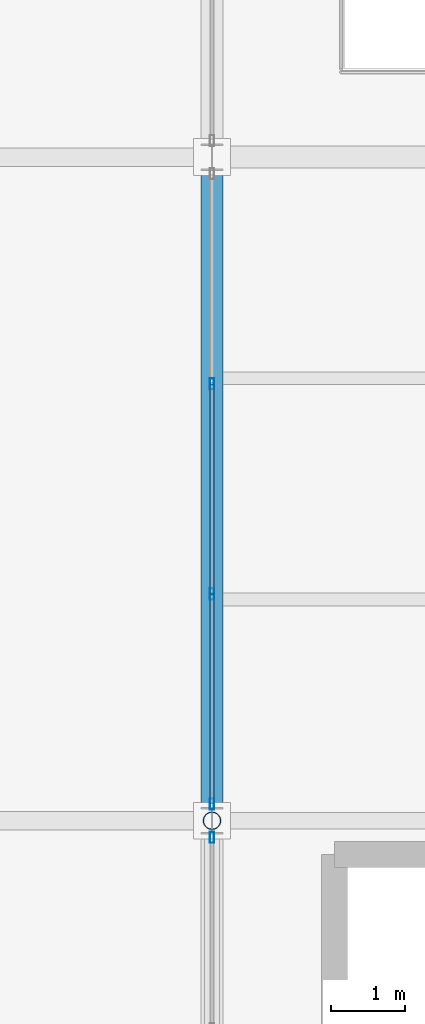
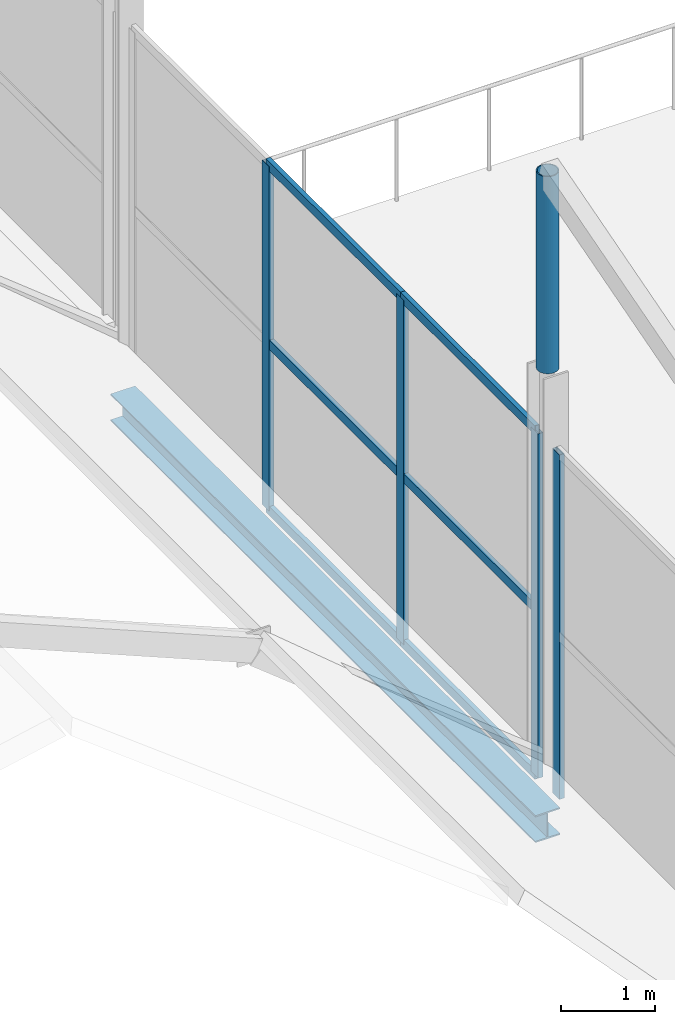
# One storey, part 30 of 141: 11 members, 1 beam, 2 elements without a shape of their own.
"""IFC4 building model written with IfcOpenShell, lengths in metres."""

from ifc_helpers import new_model, si_unit, direction, frame, origin, origin_2d, place, context, subcontext, project, spatial, hollow_rectangle, hollow_circle, i_section, extrude, material, layer, layer_set, material_profile, profile_set, type_object, element, aggregate, save


model = new_model("IFC4")

# Units and contexts
model_context = context("Model", 3, precision=1e-05, world=origin(), true_north=direction((0.0, 1.0)))
body_context = subcontext(model_context, "Body", "Model", "MODEL_VIEW")
ifc_project = project(units=[si_unit("LENGTHUNIT", "METRE"), si_unit("AREAUNIT", "SQUARE_METRE"), si_unit("VOLUMEUNIT", "CUBIC_METRE"), si_unit("PLANEANGLEUNIT", "RADIAN"), si_unit("MASSUNIT", "GRAM", prefix="KILO")], contexts=[model_context])

# Site, building, storey
site_placement = place(None, origin())
site = spatial("IfcSite", under=ifc_project, at=site_placement, CompositionType="ELEMENT")
building_placement = place(site_placement, origin())
building = spatial("IfcBuilding", under=site, at=building_placement, Name="Sundgate Opera House", CompositionType="ELEMENT")
storey_placement = place(building_placement, frame((0.0, 0.0, 11.39990234375)))
storey = spatial("IfcBuildingStorey", under=building, at=storey_placement, Name="L02", CompositionType="ELEMENT", Elevation=11.39990234375)

# Beam
ifc_material_1 = material(Name="Steel S355J2", Category="steel")
ifc_material_profile_1 = material_profile(ifc_material_1, i_section(OverallWidth=0.300048828125, OverallDepth=0.35009765625, WebThickness=0.010009765625, FlangeThickness=0.017578125, at=origin_2d()), Name="HEA 360")
ifc_profile_set_1 = profile_set([ifc_material_profile_1], Name="Steel S355J2")
beam_type = type_object("IfcBeamType", Name="BM-GR-HEA360", PredefinedType="BEAM", material=ifc_profile_set_1)
beam_placement = place(storey_placement, frame((95.39990234375, 33.0, -0.52490234375), z_axis=(0.0, 1.0, 0.0), x_axis=(-1.0, 0.0, 0.0)))
element("IfcBeam", 1, at=beam_placement, inside=storey, type_object=beam_type, Name="L02 Primary N-S Girder B1847", PredefinedType="BEAM", context=body_context, shape_type="SweptSolid", body=[
    extrude(i_section(OverallWidth=0.300048828125, OverallDepth=0.35009765625, WebThickness=0.010009765625, FlangeThickness=0.017578125, at=origin_2d()), origin(), (0.0, 0.0, 1.0), 9.0),
])

# Curtain wall, members
ifc_material_2 = material(Name="Anodized aluminium and low-iron glass", Category="aluminium")
ifc_layer_1 = layer(ifc_material_2, 0.159912109375)
ifc_layer_set_1 = layer_set([ifc_layer_1], Name="Anodized aluminium and low-iron glass")
curtain_wall_type_1 = type_object("IfcCurtainWallType", Name="CW-STUDIO-DARK", PredefinedType="NOTDEFINED", material=ifc_layer_set_1)
curtain_wall_1_placement = place(storey_placement, origin())
curtain_wall_1 = element("IfcCurtainWall", 2, at=curtain_wall_1_placement, inside=storey, type_object=curtain_wall_type_1, Name="L02 Curtain Wall CW062", PredefinedType="NOTDEFINED")
ifc_material_3 = material(Name="Anodized aluminium EN AW-6063", Category="aluminium")
ifc_material_profile_2 = material_profile(ifc_material_3, hollow_rectangle(XDim=0.06005859375, YDim=0.14990234375, WallThickness=0.00390625, at=origin_2d()), Name="CWM 150x60x4")
ifc_profile_set_2 = profile_set([ifc_material_profile_2], Name="Anodized aluminium EN AW-6063")
member_type_1 = type_object("IfcMemberType", Name="CWM-ALU-150x60", PredefinedType="MULLION", material=ifc_profile_set_2)
member_1_placement = place(storey_placement, frame((95.39990234375, 38.925048828125, 0.0), z_axis=(0.0, 0.0, 1.0), x_axis=(1.0, 0.0, 0.0)))
member_1 = element("IfcMember", 3, at=member_1_placement, type_object=member_type_1, Name="CW062 Mullion 2", PredefinedType="MULLION", context=body_context, shape_type="SweptSolid", body=[
    extrude(hollow_rectangle(XDim=0.06005859375, YDim=0.14990234375, WallThickness=0.00390625, at=origin_2d()), origin(), (0.0, 0.0, 1.0), 4.455078125),
])
member_2_placement = place(storey_placement, frame((95.39990234375, 36.074951171875, 0.0), z_axis=(0.0, 0.0, 1.0), x_axis=(1.0, 0.0, 0.0)))
member_2 = element("IfcMember", 4, at=member_2_placement, type_object=member_type_1, Name="CW062 Mullion 3", PredefinedType="MULLION", context=body_context, shape_type="SweptSolid", body=[
    extrude(hollow_rectangle(XDim=0.06005859375, YDim=0.14990234375, WallThickness=0.00390625, at=origin_2d()), origin(), (0.0, 0.0, 1.0), 4.455078125),
])
member_3_placement = place(storey_placement, frame((95.39990234375, 33.22509765625, 0.0), z_axis=(0.0, 0.0, 1.0), x_axis=(1.0, 0.0, 0.0)))
member_3 = element("IfcMember", 5, at=member_3_placement, type_object=member_type_1, Name="CW062 Mullion 4", PredefinedType="MULLION", context=body_context, shape_type="SweptSolid", body=[
    extrude(hollow_rectangle(XDim=0.06005859375, YDim=0.14990234375, WallThickness=0.00390625, at=origin_2d()), origin(), (0.0, 0.0, 1.0), 4.455078125),
])

# Curtain wall, member
ifc_material_4 = material(Name="Anodized aluminium and low-iron glass", Category="aluminium")
ifc_layer_2 = layer(ifc_material_4, 0.14990234375)
ifc_layer_set_2 = layer_set([ifc_layer_2], Name="Anodized aluminium and low-iron glass")
curtain_wall_type_2 = type_object("IfcCurtainWallType", Name="CW-WORKSHOP-DARK", PredefinedType="NOTDEFINED", material=ifc_layer_set_2)
curtain_wall_2_placement = place(storey_placement, origin())
curtain_wall_2 = element("IfcCurtainWall", 6, at=curtain_wall_2_placement, inside=storey, type_object=curtain_wall_type_2, Name="L02 Curtain Wall CW164", PredefinedType="NOTDEFINED")
member_4_placement = place(storey_placement, frame((95.39990234375, 32.77490234375, 0.0), z_axis=(0.0, 0.0, 1.0), x_axis=(1.0, 0.0, 0.0)))
member_4 = element("IfcMember", 7, at=member_4_placement, type_object=member_type_1, Name="CW164 Mullion 1", PredefinedType="MULLION", context=body_context, shape_type="SweptSolid", body=[
    extrude(hollow_rectangle(XDim=0.06005859375, YDim=0.14990234375, WallThickness=0.00390625, at=origin_2d()), origin(), (0.0, 0.0, 1.0), 4.455078125),
])
aggregate(curtain_wall_2, [member_4])

# Member
ifc_material_5 = material(Name="Anodized aluminium EN AW-6063", Category="aluminium")
ifc_material_profile_3 = material_profile(ifc_material_5, hollow_rectangle(XDim=0.054931640625, YDim=0.1201171875, WallThickness=0.00390625, at=origin_2d()), Name="CWT 120x55x4")
ifc_profile_set_3 = profile_set([ifc_material_profile_3], Name="Anodized aluminium EN AW-6063")
member_type_2 = type_object("IfcMemberType", Name="CWT-ALU-120x55", PredefinedType="USERDEFINED", material=ifc_profile_set_3)
member_5_placement = place(storey_placement, frame((95.39990234375, 38.925048828125, 0.0), z_axis=(0.0, -1.0, 0.0), x_axis=(1.0, 0.0, 0.0)))
member_5 = element("IfcMember", 8, at=member_5_placement, type_object=member_type_2, Name="CW062 Transom 4", ObjectType="TRANSOM", PredefinedType="USERDEFINED", context=body_context, shape_type="SweptSolid", body=[
    extrude(hollow_rectangle(XDim=0.054931640625, YDim=0.1201171875, WallThickness=0.00390625, at=origin_2d()), origin(), (0.0, 0.0, 1.0), 2.85009765625),
])

member_6_placement = place(storey_placement, frame((95.39990234375, 38.925048828125, 2.150146484375), z_axis=(0.0, -1.0, 0.0), x_axis=(1.0, 0.0, 0.0)))
member_6 = element("IfcMember", 9, at=member_6_placement, type_object=member_type_2, Name="CW062 Transom 5", ObjectType="TRANSOM", PredefinedType="USERDEFINED", context=body_context, shape_type="SweptSolid", body=[
    extrude(hollow_rectangle(XDim=0.054931640625, YDim=0.1201171875, WallThickness=0.00390625, at=origin_2d()), origin(), (0.0, 0.0, 1.0), 2.85009765625),
])

member_7_placement = place(storey_placement, frame((95.39990234375, 38.925048828125, 4.455078125), z_axis=(0.0, -1.0, 0.0), x_axis=(1.0, 0.0, 0.0)))
member_7 = element("IfcMember", 10, at=member_7_placement, type_object=member_type_2, Name="CW062 Transom 6", ObjectType="TRANSOM", PredefinedType="USERDEFINED", context=body_context, shape_type="SweptSolid", body=[
    extrude(hollow_rectangle(XDim=0.054931640625, YDim=0.1201171875, WallThickness=0.00390625, at=origin_2d()), origin(), (0.0, 0.0, 1.0), 2.85009765625),
])

member_8_placement = place(storey_placement, frame((95.39990234375, 36.074951171875, 0.0), z_axis=(0.0, -1.0, 0.0), x_axis=(1.0, 0.0, 0.0)))
member_8 = element("IfcMember", 11, at=member_8_placement, type_object=member_type_2, Name="CW062 Transom 7", ObjectType="TRANSOM", PredefinedType="USERDEFINED", context=body_context, shape_type="SweptSolid", body=[
    extrude(hollow_rectangle(XDim=0.054931640625, YDim=0.1201171875, WallThickness=0.00390625, at=origin_2d()), origin(), (0.0, 0.0, 1.0), 2.849853515625),
])

member_9_placement = place(storey_placement, frame((95.39990234375, 36.074951171875, 2.150146484375), z_axis=(0.0, -1.0, 0.0), x_axis=(1.0, 0.0, 0.0)))
member_9 = element("IfcMember", 12, at=member_9_placement, type_object=member_type_2, Name="CW062 Transom 8", ObjectType="TRANSOM", PredefinedType="USERDEFINED", context=body_context, shape_type="SweptSolid", body=[
    extrude(hollow_rectangle(XDim=0.054931640625, YDim=0.1201171875, WallThickness=0.00390625, at=origin_2d()), origin(), (0.0, 0.0, 1.0), 2.849853515625),
])

member_10_placement = place(storey_placement, frame((95.39990234375, 36.074951171875, 4.455078125), z_axis=(0.0, -1.0, 0.0), x_axis=(1.0, 0.0, 0.0)))
member_10 = element("IfcMember", 13, at=member_10_placement, type_object=member_type_2, Name="CW062 Transom 9", ObjectType="TRANSOM", PredefinedType="USERDEFINED", context=body_context, shape_type="SweptSolid", body=[
    extrude(hollow_rectangle(XDim=0.054931640625, YDim=0.1201171875, WallThickness=0.00390625, at=origin_2d()), origin(), (0.0, 0.0, 1.0), 2.849853515625),
])

aggregate(curtain_wall_1, [member_1, member_2, member_3, member_5, member_6, member_7, member_8, member_9, member_10])

ifc_material_6 = material(Name="Steel S355J2", Category="steel")
ifc_material_profile_4 = material_profile(ifc_material_6, hollow_circle(Radius=0.122314453125, WallThickness=0.012451171875, at=origin_2d()), Name="CHS 244.5x12.5")
ifc_profile_set_4 = profile_set([ifc_material_profile_4], Name="Steel S355J2")
member_type_3 = type_object("IfcMemberType", Name="MB-STRUT-CHS244", PredefinedType="STRUT", material=ifc_profile_set_4)
member_11_placement = place(storey_placement, frame((95.39990234375, 33.0, 5.400146484375), z_axis=(0.0, 0.0, 1.0), x_axis=(1.0, 0.0, 0.0)))
element("IfcMember", 14, at=member_11_placement, inside=storey, type_object=member_type_3, Name="L02 Sawtooth Northlight Post M0418", PredefinedType="STRUT", context=body_context, shape_type="SweptSolid", body=[
    extrude(hollow_circle(Radius=0.122314453125, WallThickness=0.012451171875, at=origin_2d()), origin(), (0.0, 0.0, 1.0), 2.550048828125),
])

save(model, "model.ifc")
